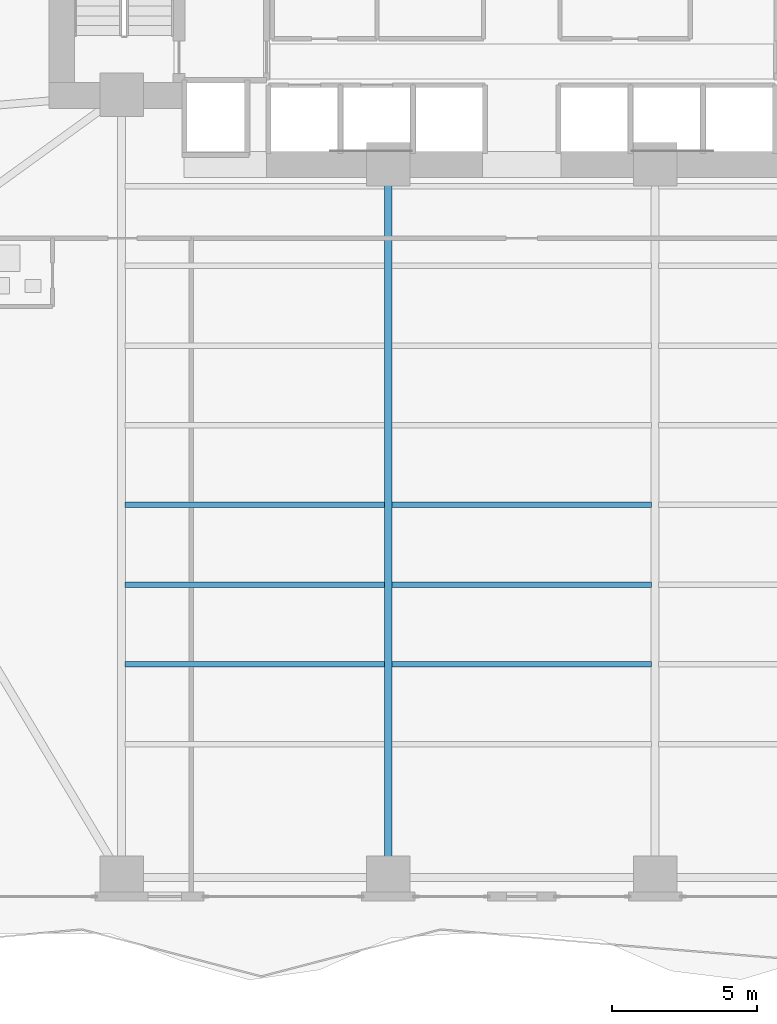
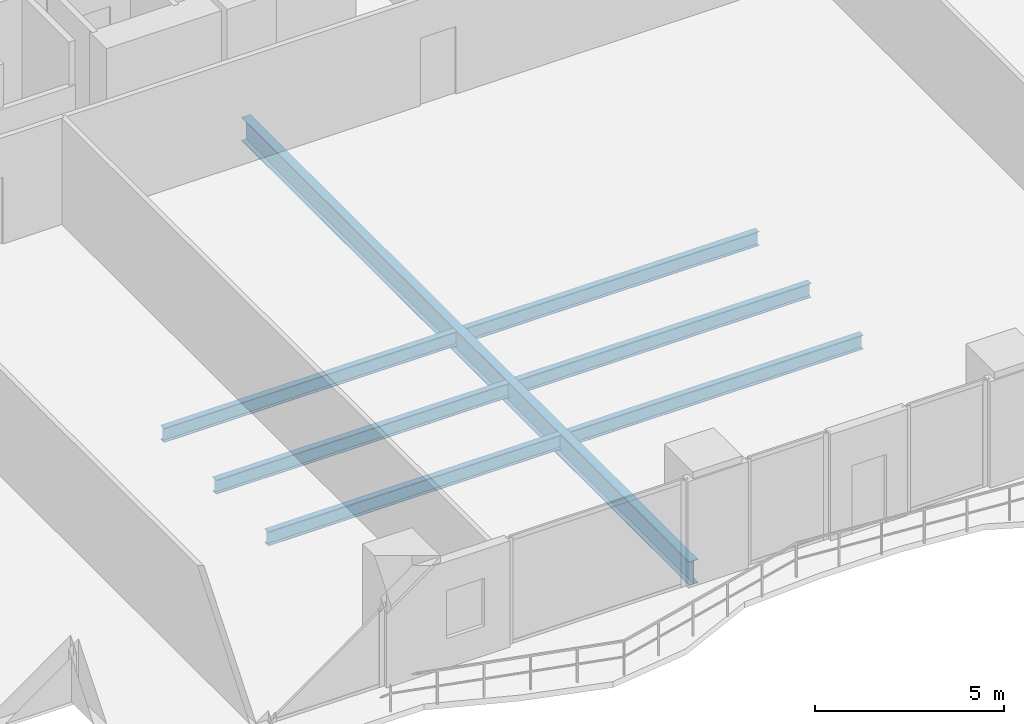
# One storey, part 5 of 28: 7 beams.
"""IFC4 building model written with IfcOpenShell, lengths in metres."""

import ifcopenshell
import ifcopenshell.guid

model = None  # the IFC model being written
_history = None  # IfcOwnerHistory: only IFC2X3 demands one
_inside = {}  # id of a spatial element -> (the spatial element, [elements in it])
_under = {}  # id of a project, library or spatial element -> (it, [spatial elements below it])
_declared = {}  # id of a project -> (the project, [libraries it declares])
_typed = {}  # id of a type object -> (the type object, [elements of that type])
_made_of = {}  # id of a material, layer set ... -> (it, [elements and type objects made of it])


def new_model(schema):
    """Start an empty IFC model of exactly this schema.

    Asked for "IFC4X3", IfcOpenShell would pick the latest addendum, in which some entities
    have other attributes; the version numbers below select the first issue.
    IFC2X3 requires an IfcOwnerHistory on every rooted entity: one is made here for all.
    """
    global model, _history
    if schema == "IFC4X3":
        model = ifcopenshell.file(schema_version=(4, 3, 0, 0))
    else:
        model = ifcopenshell.file(schema=schema)
    _inside.clear()
    _under.clear()
    _declared.clear()
    _typed.clear()
    _made_of.clear()
    _history = None
    if model.schema == "IFC2X3":
        org = make("IfcOrganization", Name="unknown")
        user = make(
            "IfcPersonAndOrganization",
            ThePerson=make("IfcPerson", FamilyName="unknown"),
            TheOrganization=org,
        )
        app = make(
            "IfcApplication",
            ApplicationDeveloper=org,
            Version="unknown",
            ApplicationFullName="unknown",
            ApplicationIdentifier="unknown",
        )
        _history = make(
            "IfcOwnerHistory",
            OwningUser=user,
            OwningApplication=app,
            ChangeAction="ADDED",
            CreationDate=0,
        )
    return model


def make(cls, **values):
    """One entity of the class cls with the attributes given. An attribute that is None is left unset."""
    return model.create_entity(
        cls, **{name: value for name, value in values.items() if value is not None}
    )


def rooted(cls, **values):
    """An entity with a GlobalId (a new one), such as an element, a storey or a relation."""
    return make(cls, GlobalId=ifcopenshell.guid.new(), OwnerHistory=_history, **values)


def si_unit(unit_type, name, prefix=None):
    """IfcSIUnit, for example si_unit("LENGTHUNIT", "METRE", prefix="MILLI")."""
    return make("IfcSIUnit", UnitType=unit_type, Prefix=prefix, Name=name)


def assignment(units):
    """IfcUnitAssignment: the units of a project."""
    return None if units is None else make("IfcUnitAssignment", Units=units)


def point(xyz):
    """IfcCartesianPoint."""
    return None if xyz is None else make("IfcCartesianPoint", Coordinates=xyz)


def direction(xyz):
    """IfcDirection."""
    return None if xyz is None else make("IfcDirection", DirectionRatios=xyz)


def frame(location, z_axis=None, x_axis=None):
    """IfcAxis2Placement3D, a coordinate frame: its origin and axes. An axis left out is left unset."""
    return make(
        "IfcAxis2Placement3D",
        Location=point(location),
        Axis=direction(z_axis),
        RefDirection=direction(x_axis),
    )


def frame_2d(location, x_axis=None):
    """IfcAxis2Placement2D, a coordinate frame in the plane: its origin and x axis."""
    return make(
        "IfcAxis2Placement2D", Location=point(location), RefDirection=direction(x_axis)
    )


def origin():
    """The frame at (0, 0, 0) with its axes left unset."""
    return frame((0.0, 0.0, 0.0))


def origin_2d():
    """The frame at (0, 0) in the plane with its x axis left unset."""
    return frame_2d((0.0, 0.0))


def place(relative_to, where):
    """IfcLocalPlacement: puts the frame where relative to a parent placement (None: the world)."""
    return make(
        "IfcLocalPlacement", PlacementRelTo=relative_to, RelativePlacement=where
    )


def context(
    kind, dimensions, precision=None, world=None, true_north=None, identifier=None
):
    """IfcGeometricRepresentationContext, for example the 3D "Model" context."""
    return make(
        "IfcGeometricRepresentationContext",
        ContextIdentifier=identifier,
        ContextType=kind,
        CoordinateSpaceDimension=dimensions,
        Precision=precision,
        WorldCoordinateSystem=world,
        TrueNorth=true_north,
    )


def subcontext(parent, identifier, kind, view, scale=None):
    """IfcGeometricRepresentationSubContext, for example "Body" below "Model"."""
    return make(
        "IfcGeometricRepresentationSubContext",
        ContextIdentifier=identifier,
        ContextType=kind,
        ParentContext=parent,
        TargetScale=scale,
        TargetView=view,
    )


def project(units=None, contexts=None):
    """IfcProject with its units and contexts."""
    return rooted(
        "IfcProject",
        Name="project",
        RepresentationContexts=contexts,
        UnitsInContext=assignment(units),
    )


def spatial(cls, under=None, at=None, **own):
    """A site, building, storey or space (cls), placed at a placement, below another one or the project."""
    s = rooted(cls, ObjectPlacement=at, **own)
    if under is not None:
        _under.setdefault(under.id(), (under, []))[1].append(s)
    return s


def profile(cls, at=None, kind="AREA", **sizes):
    """A parametric profile (cls). Its sizes go by their IFC names, for example OverallWidth=200.0."""
    return make(cls, ProfileType=kind, Position=at, **sizes)


def i_section(**sizes):
    """IfcIShapeProfileDef."""
    return profile("IfcIShapeProfileDef", **sizes)


def extrude(swept, where, along, depth):
    """IfcExtrudedAreaSolid: the profile swept, set in the frame where, extruded along a direction by depth."""
    return make(
        "IfcExtrudedAreaSolid",
        SweptArea=swept,
        Position=where,
        ExtrudedDirection=direction(along),
        Depth=depth,
    )


def shape(context_of_items, identifier, shape_type, items):
    """IfcShapeRepresentation: the items that make up one representation, for example the "Body"."""
    return make(
        "IfcShapeRepresentation",
        ContextOfItems=context_of_items,
        RepresentationIdentifier=identifier,
        RepresentationType=shape_type,
        Items=items,
    )


def material(Name=None, Category=None):
    """IfcMaterial."""
    return make("IfcMaterial", Name=Name, Category=Category)


def material_profile(
    of_material, cross_section, Name=None, Category=None, Priority=None
):
    """IfcMaterialProfile: a cross section and its material."""
    return make(
        "IfcMaterialProfile",
        Name=Name,
        Material=of_material,
        Profile=cross_section,
        Priority=Priority,
        Category=Category,
    )


def profile_set(profiles, Name=None, composite=None):
    """IfcMaterialProfileSet."""
    return make(
        "IfcMaterialProfileSet",
        Name=Name,
        MaterialProfiles=profiles,
        CompositeProfile=composite,
    )


def made_of(thing, what):
    """Note that an element or type object is made of a material, layer set ...; save() writes the relation."""
    if what is not None:
        _made_of.setdefault(what.id(), (what, []))[1].append(thing)
    return thing


def type_object(cls, material=None, **own):
    """A type object (cls), such as IfcWallType, which elements share."""
    return made_of(rooted(cls, **own), material)


def element(
    cls,
    number,
    at=None,
    inside=None,
    cuts=None,
    type_object=None,
    material=None,
    context=None,
    identifier="Body",
    shape_type=None,
    held_by="IfcProductDefinitionShape",
    body=None,
    shapes=None,
    **own,
):
    """One element of the class cls, such as IfcWall. Its Tag is "e" and its number.

    at: its placement. inside: the storey or other place that contains it. cuts: it is an
    opening in that element (IfcRelVoidsElement). A single representation is given by context,
    identifier, shape_type and body (its items); several are given by shapes. held_by: the class
    of the entity that holds the representations. save() writes the other relations.
    """
    e = rooted(cls, Tag="e%d" % number, ObjectPlacement=at, **own)
    if body is not None:
        shapes = [shape(context, identifier, shape_type, body)]
    if shapes is not None:
        e.Representation = make(held_by, Representations=shapes)
    if inside is not None:
        _inside.setdefault(inside.id(), (inside, []))[1].append(e)
    if cuts is not None:
        rooted(
            "IfcRelVoidsElement", RelatingBuildingElement=cuts, RelatedOpeningElement=e
        )
    if type_object is not None:
        _typed.setdefault(type_object.id(), (type_object, []))[1].append(e)
    return made_of(e, material)


def aggregate(whole, parts):
    """IfcRelAggregates: a whole, such as a stair, and the parts it consists of."""
    return rooted("IfcRelAggregates", RelatingObject=whole, RelatedObjects=parts)


def save(model, path):
    """Write the relations noted so far, then the file.

    IfcRelAggregates (storeys below a building ...), IfcRelContainedInSpatialStructure (elements
    in a storey), IfcRelDefinesByType, IfcRelAssociatesMaterial and IfcRelDeclares: one each for
    every whole, place, type object, material and project.
    """
    for whole, parts in _under.values():
        aggregate(whole, parts)
    for where, things in _inside.values():
        rooted(
            "IfcRelContainedInSpatialStructure",
            RelatedElements=things,
            RelatingStructure=where,
        )
    for kind, things in _typed.values():
        rooted("IfcRelDefinesByType", RelatedObjects=things, RelatingType=kind)
    for what, things in _made_of.values():
        rooted("IfcRelAssociatesMaterial", RelatedObjects=things, RelatingMaterial=what)
    for by, libraries in _declared.values():
        rooted("IfcRelDeclares", RelatingContext=by, RelatedDefinitions=libraries)
    model.write(path)


model = new_model("IFC4")

# Units and contexts
model_context = context("Model", 3, precision=1e-05, world=origin(), true_north=direction((0.0, 1.0)))
body_context = subcontext(model_context, "Body", "Model", "MODEL_VIEW")
ifc_project = project(units=[si_unit("LENGTHUNIT", "METRE"), si_unit("AREAUNIT", "SQUARE_METRE"), si_unit("VOLUMEUNIT", "CUBIC_METRE"), si_unit("PLANEANGLEUNIT", "RADIAN"), si_unit("MASSUNIT", "GRAM", prefix="KILO")], contexts=[model_context])

# Site, building, storey
site_placement = place(None, origin())
site = spatial("IfcSite", under=ifc_project, at=site_placement, CompositionType="ELEMENT")
building_placement = place(site_placement, origin())
building = spatial("IfcBuilding", under=site, at=building_placement, Name="Zuhayl Quay Hotel", CompositionType="ELEMENT")
storey_placement = place(building_placement, frame((0.0, 0.0, 78.699951171875)))
storey = spatial("IfcBuildingStorey", under=building, at=storey_placement, Name="L19", CompositionType="ELEMENT", Elevation=78.699951171875)

# Beams
ifc_material = material(Name="Steel ASTM A992 Grade 50", Category="steel")
ifc_material_profile_1 = material_profile(ifc_material, i_section(OverallWidth=0.26708984375, OverallDepth=0.761962890625, WebThickness=0.014404296875, FlangeThickness=0.021484375, at=origin_2d()), Name="W30X116")
ifc_profile_set_1 = profile_set([ifc_material_profile_1], Name="Steel ASTM A992 Grade 50")
beam_type_1 = type_object("IfcBeamType", Name="BM_B1_W30X116", PredefinedType="BEAM", material=ifc_profile_set_1)
beam_1_placement = place(storey_placement, frame((-4.60009765625, -21.949951171875, -0.600830078125), z_axis=(0.0, 1.0, 0.0), x_axis=(-1.0, 0.0, 0.0)))
element("IfcBeam", 1, at=beam_1_placement, inside=storey, type_object=beam_type_1, Name="L19 Floor Beam FG_S_L19_2", PredefinedType="BEAM", context=body_context, shape_type="SweptSolid", body=[
    extrude(i_section(OverallWidth=0.26708984375, OverallDepth=0.761962890625, WebThickness=0.014404296875, FlangeThickness=0.021484375, at=origin_2d()), origin(), (0.0, 0.0, 1.0), 23.64990234375),
])
ifc_material_profile_2 = material_profile(ifc_material, i_section(OverallWidth=0.18994140625, OverallDepth=0.45703125, WebThickness=0.009033203125, FlangeThickness=0.014404296875, at=origin_2d()), Name="W18X50")
ifc_profile_set_2 = profile_set([ifc_material_profile_2], Name="Steel ASTM A992 Grade 50")
beam_type_2 = type_object("IfcBeamType", Name="BM_J2_W18X50", PredefinedType="JOIST", material=ifc_profile_set_2)
beam_2_placement = place(storey_placement, frame((-13.674560546875, -15.10009765625, -0.448486328125), z_axis=(1.0, 0.0, 0.0), x_axis=(0.0, 1.0, 0.0)))
element("IfcBeam", 2, at=beam_2_placement, inside=storey, type_object=beam_type_2, Name="L19 Floor Beam FJ_L19_4_1", PredefinedType="JOIST", context=body_context, shape_type="SweptSolid", body=[
    extrude(i_section(OverallWidth=0.18994140625, OverallDepth=0.45703125, WebThickness=0.009033203125, FlangeThickness=0.014404296875, at=origin_2d()), origin(), (0.0, 0.0, 1.0), 8.948974609375),
])
beam_3_placement = place(storey_placement, frame((-4.474609375, -15.10009765625, -0.448486328125), z_axis=(1.0, 0.0, 0.0), x_axis=(0.0, 1.0, 0.0)))
element("IfcBeam", 3, at=beam_3_placement, inside=storey, type_object=beam_type_2, Name="L19 Floor Beam FJ_L19_4_2", PredefinedType="JOIST", context=body_context, shape_type="SweptSolid", body=[
    extrude(i_section(OverallWidth=0.18994140625, OverallDepth=0.45703125, WebThickness=0.009033203125, FlangeThickness=0.014404296875, at=origin_2d()), origin(), (0.0, 0.0, 1.0), 8.94921875),
])
beam_4_placement = place(storey_placement, frame((-13.674560546875, -12.35009765625, -0.448486328125), z_axis=(1.0, 0.0, 0.0), x_axis=(0.0, 1.0, 0.0)))
element("IfcBeam", 4, at=beam_4_placement, inside=storey, type_object=beam_type_2, Name="L19 Floor Beam FJ_L19_5_1", PredefinedType="JOIST", context=body_context, shape_type="SweptSolid", body=[
    extrude(i_section(OverallWidth=0.18994140625, OverallDepth=0.45703125, WebThickness=0.009033203125, FlangeThickness=0.014404296875, at=origin_2d()), origin(), (0.0, 0.0, 1.0), 8.948974609375),
])
beam_5_placement = place(storey_placement, frame((-4.474609375, -12.35009765625, -0.448486328125), z_axis=(1.0, 0.0, 0.0), x_axis=(0.0, 1.0, 0.0)))
element("IfcBeam", 5, at=beam_5_placement, inside=storey, type_object=beam_type_2, Name="L19 Floor Beam FJ_L19_5_2", PredefinedType="JOIST", context=body_context, shape_type="SweptSolid", body=[
    extrude(i_section(OverallWidth=0.18994140625, OverallDepth=0.45703125, WebThickness=0.009033203125, FlangeThickness=0.014404296875, at=origin_2d()), origin(), (0.0, 0.0, 1.0), 8.94921875),
])
beam_6_placement = place(storey_placement, frame((-13.674560546875, -9.60009765625, -0.448486328125), z_axis=(1.0, 0.0, 0.0), x_axis=(0.0, 1.0, 0.0)))
element("IfcBeam", 6, at=beam_6_placement, inside=storey, type_object=beam_type_2, Name="L19 Floor Beam FJ_L19_6_1", PredefinedType="JOIST", context=body_context, shape_type="SweptSolid", body=[
    extrude(i_section(OverallWidth=0.18994140625, OverallDepth=0.45703125, WebThickness=0.009033203125, FlangeThickness=0.014404296875, at=origin_2d()), origin(), (0.0, 0.0, 1.0), 8.948974609375),
])
beam_7_placement = place(storey_placement, frame((-4.474609375, -9.60009765625, -0.448486328125), z_axis=(1.0, 0.0, 0.0), x_axis=(0.0, 1.0, 0.0)))
element("IfcBeam", 7, at=beam_7_placement, inside=storey, type_object=beam_type_2, Name="L19 Floor Beam FJ_L19_6_2", PredefinedType="JOIST", context=body_context, shape_type="SweptSolid", body=[
    extrude(i_section(OverallWidth=0.18994140625, OverallDepth=0.45703125, WebThickness=0.009033203125, FlangeThickness=0.014404296875, at=origin_2d()), origin(), (0.0, 0.0, 1.0), 8.94921875),
])

save(model, "model.ifc")
